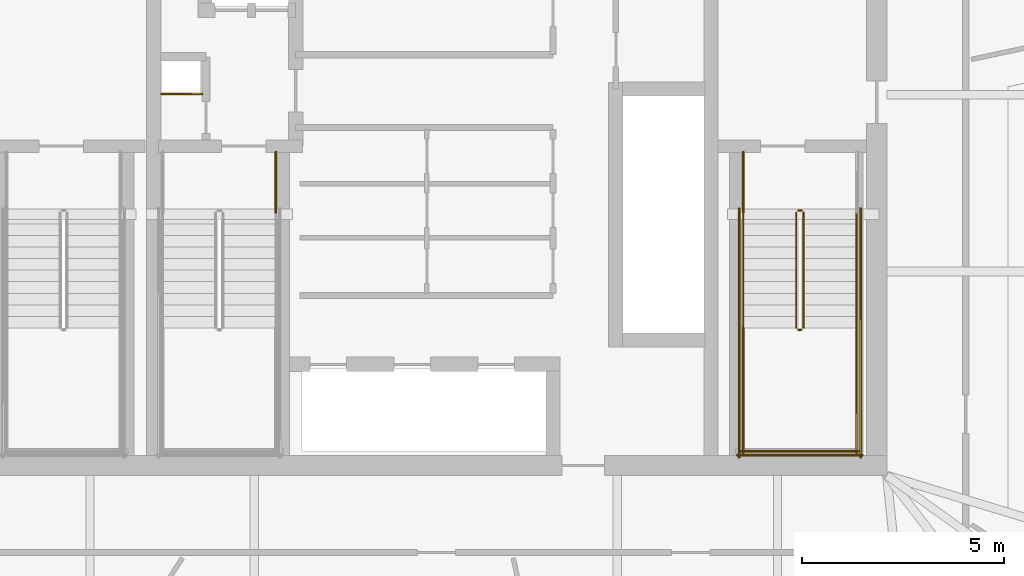
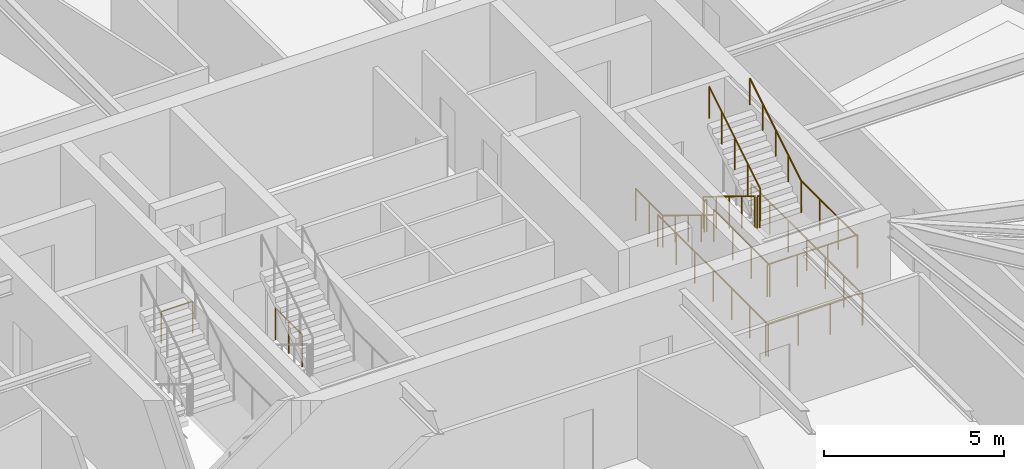
# One storey, part 21 of 22: 15 railings.
"""IFC4 building model written with IfcOpenShell, lengths in metres."""

from ifc_helpers import new_model, si_unit, direction, frame, origin, origin_2d, place, context, subcontext, project, spatial, circle, extrude, material, type_object, element, save


model = new_model("IFC4")

# Units and contexts
model_context = context("Model", 3, precision=1e-05, world=origin(), true_north=direction((0.0, 1.0)))
body_context = subcontext(model_context, "Body", "Model", "MODEL_VIEW")
ifc_project = project(units=[si_unit("LENGTHUNIT", "METRE"), si_unit("AREAUNIT", "SQUARE_METRE"), si_unit("VOLUMEUNIT", "CUBIC_METRE"), si_unit("PLANEANGLEUNIT", "RADIAN"), si_unit("MASSUNIT", "GRAM", prefix="KILO")], contexts=[model_context])

# Site, building, storey
site_placement = place(None, origin())
site = spatial("IfcSite", under=ifc_project, at=site_placement, CompositionType="ELEMENT")
building_placement = place(site_placement, origin())
building = spatial("IfcBuilding", under=site, at=building_placement, Name="Bramvorn Convention Spire", CompositionType="ELEMENT")
storey_placement = place(building_placement, frame((0.0, 0.0, 221.25)))
storey = spatial("IfcBuildingStorey", under=building, at=storey_placement, Name="L56", CompositionType="ELEMENT", Elevation=221.25)

# Railings
ifc_material_1 = material(Name="Painted Steel Balustrade & Guardrail", Category="steel")
railing_type_1 = type_object("IfcRailingType", Name="RL-STAIR-GUARD-1100", PredefinedType="GUARDRAIL", material=ifc_material_1)
railing_1_placement = place(storey_placement, frame((47.010009765625, 25.050048828125, 0.175048828125)))
element("IfcRailing", 1, at=railing_1_placement, inside=storey, type_object=railing_type_1, Name="L56 ST2 stair guard 1", PredefinedType="GUARDRAIL", context=body_context, shape_type="SweptSolid", body=[
    extrude(circle(Radius=0.02392578125, at=origin_2d()), frame((0.0, 0.0, 1.076171875), z_axis=(0.0, -0.852179220489, 0.52325001306), x_axis=(1.0, 0.0, 0.0)), (0.0, 0.0, 1.0), 3.344482421875),
    extrude(circle(Radius=0.02099609375, at=origin_2d()), origin(), (0.0, 0.0, 1.0), 1.052001953125),
    extrude(circle(Radius=0.02099609375, at=origin_2d()), frame((0.0, -0.71240234375, 0.4375)), (0.0, 0.0, 1.0), 1.052001953125),
    extrude(circle(Radius=0.02099609375, at=origin_2d()), frame((0.0, -1.425048828125, 0.875)), (0.0, 0.0, 1.0), 1.052001953125),
    extrude(circle(Radius=0.02099609375, at=origin_2d()), frame((0.0, -2.1376953125, 1.3125)), (0.0, 0.0, 1.0), 1.052001953125),
    extrude(circle(Radius=0.02099609375, at=origin_2d()), frame((0.0, -2.85009765625, 1.75)), (0.0, 0.0, 1.0), 1.052001953125),
])
railing_2_placement = place(storey_placement, frame((47.06005859375, 22.14990234375, 1.925048828125)))
element("IfcRailing", 2, at=railing_2_placement, inside=storey, type_object=railing_type_1, Name="L56 ST2 stair guard 2", PredefinedType="GUARDRAIL", context=body_context, shape_type="SweptSolid", body=[
    extrude(circle(Radius=0.02392578125, at=origin_2d()), frame((0.0, 0.0, 1.076171875), z_axis=(1.0, 0.0, 0.0), x_axis=(0.0, 1.0, 0.0)), (0.0, 0.0, 1.0), 0.079833984375),
    extrude(circle(Radius=0.02099609375, at=origin_2d()), origin(), (0.0, 0.0, 1.0), 1.052001953125),
    extrude(circle(Radius=0.02099609375, at=origin_2d()), frame((0.079833984375, 0.0, 0.0)), (0.0, 0.0, 1.0), 1.052001953125),
])
for number, where, name in (
    (3, (45.699951171875, 22.199951171875, 1.925048828125), "L56 ST2 stair guard 3"),
    (4, (48.5, 22.199951171875, 1.925048828125), "L56 ST2 stair guard 4"),
):
    element("IfcRailing", number, at=place(storey_placement, frame(where)), inside=storey, type_object=railing_type_1, Name=name, PredefinedType="GUARDRAIL", context=body_context, shape_type="SweptSolid", body=[
        extrude(circle(Radius=0.02392578125, at=origin_2d()), frame((0.0, 0.0, 1.076171875), z_axis=(0.0, -1.0, 0.0), x_axis=(1.0, 0.0, 0.0)), (0.0, 0.0, 1.0), 3.099853515625),
        extrude(circle(Radius=0.02099609375, at=origin_2d()), origin(), (0.0, 0.0, 1.0), 1.052001953125),
        extrude(circle(Radius=0.02099609375, at=origin_2d()), frame((0.0, -1.033203125, 0.0)), (0.0, 0.0, 1.0), 1.052001953125),
        extrude(circle(Radius=0.02099609375, at=origin_2d()), frame((0.0, -2.066650390625, 0.0)), (0.0, 0.0, 1.0), 1.052001953125),
        extrude(circle(Radius=0.02099609375, at=origin_2d()), frame((0.0, -3.099853515625, 0.0)), (0.0, 0.0, 1.0), 1.052001953125),
    ])
railing_3_placement = place(storey_placement, frame((45.64990234375, 19.14990234375, 1.925048828125)))
element("IfcRailing", 5, at=railing_3_placement, inside=storey, type_object=railing_type_1, Name="L56 ST2 stair guard 5", PredefinedType="GUARDRAIL", context=body_context, shape_type="SweptSolid", body=[
    extrude(circle(Radius=0.02392578125, at=origin_2d()), frame((0.0, 0.0, 1.076171875), z_axis=(1.0, 0.0, 0.0), x_axis=(0.0, 1.0, 0.0)), (0.0, 0.0, 1.0), 2.900146484375),
    extrude(circle(Radius=0.02099609375, at=origin_2d()), origin(), (0.0, 0.0, 1.0), 1.052001953125),
    extrude(circle(Radius=0.02099609375, at=origin_2d()), frame((0.966796875, 0.0, 0.0)), (0.0, 0.0, 1.0), 1.052001953125),
    extrude(circle(Radius=0.02099609375, at=origin_2d()), frame((1.933349609375, 0.0, 0.0)), (0.0, 0.0, 1.0), 1.052001953125),
    extrude(circle(Radius=0.02099609375, at=origin_2d()), frame((2.900146484375, 0.0, 0.0)), (0.0, 0.0, 1.0), 1.052001953125),
])
railing_4_placement = place(storey_placement, frame((47.18994140625, 22.199951171875, 2.10009765625)))
element("IfcRailing", 6, at=railing_4_placement, inside=storey, type_object=railing_type_1, Name="L56 ST2 stair guard 6", PredefinedType="GUARDRAIL", context=body_context, shape_type="SweptSolid", body=[
    extrude(circle(Radius=0.02392578125, at=origin_2d()), frame((0.0, 0.0, 1.076171875), z_axis=(0.0, 0.852179220489, 0.52325001306), x_axis=(-1.0, 0.0, 0.0)), (0.0, 0.0, 1.0), 3.344482421875),
    extrude(circle(Radius=0.02099609375, at=origin_2d()), origin(), (0.0, 0.0, 1.0), 1.052001953125),
    extrude(circle(Radius=0.02099609375, at=origin_2d()), frame((0.0, 0.71240234375, 0.4375)), (0.0, 0.0, 1.0), 1.052001953125),
    extrude(circle(Radius=0.02099609375, at=origin_2d()), frame((0.0, 1.425048828125, 0.875)), (0.0, 0.0, 1.0), 1.052001953125),
    extrude(circle(Radius=0.02099609375, at=origin_2d()), frame((0.0, 2.1376953125, 1.3125)), (0.0, 0.0, 1.0), 1.052001953125),
    extrude(circle(Radius=0.02099609375, at=origin_2d()), frame((0.0, 2.85009765625, 1.75)), (0.0, 0.0, 1.0), 1.052001953125),
])
railing_5_placement = place(storey_placement, frame((47.06005859375, 25.10009765625, 0.0)))
element("IfcRailing", 7, at=railing_5_placement, inside=storey, type_object=railing_type_1, Name="L56 ST2 stair guard 7", PredefinedType="GUARDRAIL", context=body_context, shape_type="SweptSolid", body=[
    extrude(circle(Radius=0.02392578125, at=origin_2d()), frame((0.0, 0.0, 1.076171875), z_axis=(1.0, 0.0, 0.0), x_axis=(0.0, 1.0, 0.0)), (0.0, 0.0, 1.0), 0.079833984375),
    extrude(circle(Radius=0.02099609375, at=origin_2d()), origin(), (0.0, 0.0, 1.0), 1.052001953125),
    extrude(circle(Radius=0.02099609375, at=origin_2d()), frame((0.079833984375, 0.0, 0.0)), (0.0, 0.0, 1.0), 1.052001953125),
])
railing_6_placement = place(storey_placement, frame((45.699951171875, 26.550048828125, 0.0)))
element("IfcRailing", 8, at=railing_6_placement, inside=storey, type_object=railing_type_1, Name="L56 ST2 stair guard 8", PredefinedType="GUARDRAIL", context=body_context, shape_type="SweptSolid", body=[
    extrude(circle(Radius=0.02392578125, at=origin_2d()), frame((0.0, 0.0, 1.076171875), z_axis=(0.0, -1.0, 0.0), x_axis=(1.0, 0.0, 0.0)), (0.0, 0.0, 1.0), 1.5),
    extrude(circle(Radius=0.02099609375, at=origin_2d()), origin(), (0.0, 0.0, 1.0), 1.052001953125),
    extrude(circle(Radius=0.02099609375, at=origin_2d()), frame((0.0, -0.75, 0.0)), (0.0, 0.0, 1.0), 1.052001953125),
    extrude(circle(Radius=0.02099609375, at=origin_2d()), frame((0.0, -1.5, 0.0)), (0.0, 0.0, 1.0), 1.052001953125),
])
for number, where, name in (
    (9, (45.60009765625, 25.14990234375, 0.0), "L56 ST2 stair guard 10"),
    (10, (48.60009765625, 25.14990234375, 0.0), "L56 ST2 stair guard 11"),
):
    element("IfcRailing", number, at=place(storey_placement, frame(where)), inside=storey, type_object=railing_type_1, Name=name, PredefinedType="GUARDRAIL", context=body_context, shape_type="SweptSolid", body=[
        extrude(circle(Radius=0.02392578125, at=origin_2d()), frame((0.0, 0.0, 1.076171875), z_axis=(0.0, -1.0, 0.0), x_axis=(1.0, 0.0, 0.0)), (0.0, 0.0, 1.0), 6.14990234375),
        extrude(circle(Radius=0.02099609375, at=origin_2d()), origin(), (0.0, 0.0, 1.0), 1.052001953125),
        extrude(circle(Radius=0.02099609375, at=origin_2d()), frame((0.0, -1.02490234375, 0.0)), (0.0, 0.0, 1.0), 1.052001953125),
        extrude(circle(Radius=0.02099609375, at=origin_2d()), frame((0.0, -2.050048828125, 0.0)), (0.0, 0.0, 1.0), 1.052001953125),
        extrude(circle(Radius=0.02099609375, at=origin_2d()), frame((0.0, -3.074951171875, 0.0)), (0.0, 0.0, 1.0), 1.052001953125),
        extrude(circle(Radius=0.02099609375, at=origin_2d()), frame((0.0, -4.099853515625, 0.0)), (0.0, 0.0, 1.0), 1.052001953125),
        extrude(circle(Radius=0.02099609375, at=origin_2d()), frame((0.0, -5.125, 0.0)), (0.0, 0.0, 1.0), 1.052001953125),
        extrude(circle(Radius=0.02099609375, at=origin_2d()), frame((0.0, -6.14990234375, 0.0)), (0.0, 0.0, 1.0), 1.052001953125),
    ])
railing_7_placement = place(storey_placement, frame((45.550048828125, 19.050048828125, 0.0)))
element("IfcRailing", 11, at=railing_7_placement, inside=storey, type_object=railing_type_1, Name="L56 ST2 stair guard 12", PredefinedType="GUARDRAIL", context=body_context, shape_type="SweptSolid", body=[
    extrude(circle(Radius=0.02392578125, at=origin_2d()), frame((0.0, 0.0, 1.076171875), z_axis=(1.0, 0.0, 0.0), x_axis=(0.0, 1.0, 0.0)), (0.0, 0.0, 1.0), 3.099853515625),
    extrude(circle(Radius=0.02099609375, at=origin_2d()), origin(), (0.0, 0.0, 1.0), 1.052001953125),
    extrude(circle(Radius=0.02099609375, at=origin_2d()), frame((1.033203125, 0.0, 0.0)), (0.0, 0.0, 1.0), 1.052001953125),
    extrude(circle(Radius=0.02099609375, at=origin_2d()), frame((2.066650390625, 0.0, 0.0)), (0.0, 0.0, 1.0), 1.052001953125),
    extrude(circle(Radius=0.02099609375, at=origin_2d()), frame((3.099853515625, 0.0, 0.0)), (0.0, 0.0, 1.0), 1.052001953125),
])
railing_8_placement = place(storey_placement, frame((34.14990234375, 26.550048828125, 0.0)))
element("IfcRailing", 12, at=railing_8_placement, inside=storey, type_object=railing_type_1, Name="L56 ST3 stair guard 9", PredefinedType="GUARDRAIL", context=body_context, shape_type="SweptSolid", body=[
    extrude(circle(Radius=0.02392578125, at=origin_2d()), frame((0.0, 0.0, 1.076171875), z_axis=(0.0, -1.0, 0.0), x_axis=(1.0, 0.0, 0.0)), (0.0, 0.0, 1.0), 1.5),
    extrude(circle(Radius=0.02099609375, at=origin_2d()), origin(), (0.0, 0.0, 1.0), 1.052001953125),
    extrude(circle(Radius=0.02099609375, at=origin_2d()), frame((0.0, -0.75, 0.0)), (0.0, 0.0, 1.0), 1.052001953125),
    extrude(circle(Radius=0.02099609375, at=origin_2d()), frame((0.0, -1.5, 0.0)), (0.0, 0.0, 1.0), 1.052001953125),
])
railing_9_placement = place(storey_placement, frame((31.320068359375, 27.97998046875, 0.0)))
element("IfcRailing", 13, at=railing_9_placement, inside=storey, type_object=railing_type_1, Name="L56 Telecom riser shaft opening safety guardrail", PredefinedType="GUARDRAIL", context=body_context, shape_type="SweptSolid", body=[
    extrude(circle(Radius=0.02392578125, at=origin_2d()), frame((0.0, 0.0, 1.076171875), z_axis=(1.0, 0.0, 0.0), x_axis=(0.0, 1.0, 0.0)), (0.0, 0.0, 1.0), 1.0),
    extrude(circle(Radius=0.02099609375, at=origin_2d()), origin(), (0.0, 0.0, 1.0), 1.052001953125),
    extrude(circle(Radius=0.02099609375, at=origin_2d()), frame((1.0, 0.0, 0.0)), (0.0, 0.0, 1.0), 1.052001953125),
])
ifc_material_2 = material(Name="Brushed Bronze Tubular Handrail", Category="aluminium")
railing_type_2 = type_object("IfcRailingType", Name="RL-STAIR-HR-920", PredefinedType="HANDRAIL", material=ifc_material_2)
railing_10_placement = place(storey_placement, frame((45.699951171875, 25.050048828125, 0.175048828125)))
element("IfcRailing", 14, at=railing_10_placement, inside=storey, type_object=railing_type_2, Name="L56 ST2 stair handrail 1", PredefinedType="HANDRAIL", context=body_context, shape_type="SweptSolid", body=[
    extrude(circle(Radius=0.02392578125, at=origin_2d()), frame((0.0, 0.0, 0.89599609375), z_axis=(0.0, -0.852179220489, 0.52325001306), x_axis=(1.0, 0.0, 0.0)), (0.0, 0.0, 1.0), 3.344482421875),
    extrude(circle(Radius=0.02099609375, at=origin_2d()), origin(), (0.0, 0.0, 1.0), 0.871826171875),
    extrude(circle(Radius=0.02099609375, at=origin_2d()), frame((0.0, -0.71240234375, 0.4375)), (0.0, 0.0, 1.0), 0.871826171875),
    extrude(circle(Radius=0.02099609375, at=origin_2d()), frame((0.0, -1.425048828125, 0.875)), (0.0, 0.0, 1.0), 0.871826171875),
    extrude(circle(Radius=0.02099609375, at=origin_2d()), frame((0.0, -2.1376953125, 1.3125)), (0.0, 0.0, 1.0), 0.871826171875),
    extrude(circle(Radius=0.02099609375, at=origin_2d()), frame((0.0, -2.85009765625, 1.75)), (0.0, 0.0, 1.0), 0.871826171875),
])
railing_11_placement = place(storey_placement, frame((48.5, 22.199951171875, 2.10009765625)))
element("IfcRailing", 15, at=railing_11_placement, inside=storey, type_object=railing_type_2, Name="L56 ST2 stair handrail 2", PredefinedType="HANDRAIL", context=body_context, shape_type="SweptSolid", body=[
    extrude(circle(Radius=0.02392578125, at=origin_2d()), frame((0.0, 0.0, 0.89599609375), z_axis=(0.0, 0.852179220489, 0.52325001306), x_axis=(-1.0, 0.0, 0.0)), (0.0, 0.0, 1.0), 3.344482421875),
    extrude(circle(Radius=0.02099609375, at=origin_2d()), origin(), (0.0, 0.0, 1.0), 0.871826171875),
    extrude(circle(Radius=0.02099609375, at=origin_2d()), frame((0.0, 0.71240234375, 0.4375)), (0.0, 0.0, 1.0), 0.871826171875),
    extrude(circle(Radius=0.02099609375, at=origin_2d()), frame((0.0, 1.425048828125, 0.875)), (0.0, 0.0, 1.0), 0.871826171875),
    extrude(circle(Radius=0.02099609375, at=origin_2d()), frame((0.0, 2.1376953125, 1.3125)), (0.0, 0.0, 1.0), 0.871826171875),
    extrude(circle(Radius=0.02099609375, at=origin_2d()), frame((0.0, 2.85009765625, 1.75)), (0.0, 0.0, 1.0), 0.871826171875),
])

save(model, "model.ifc")
